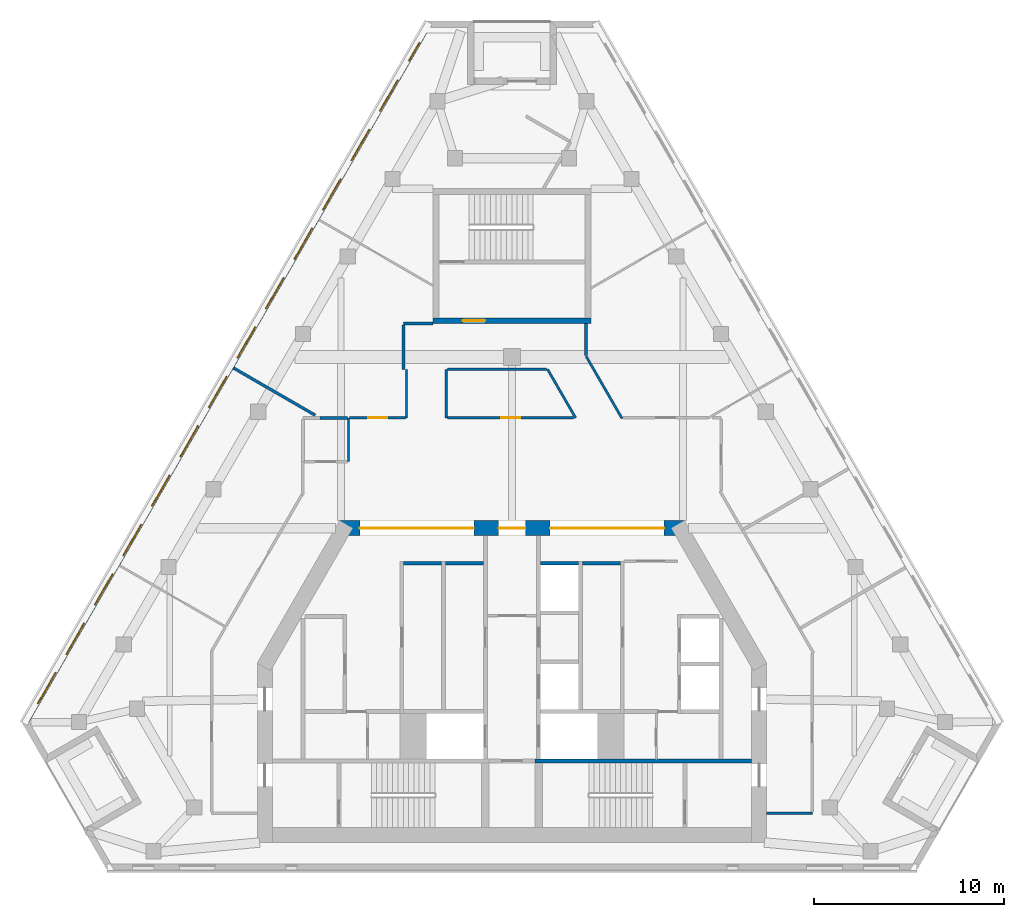
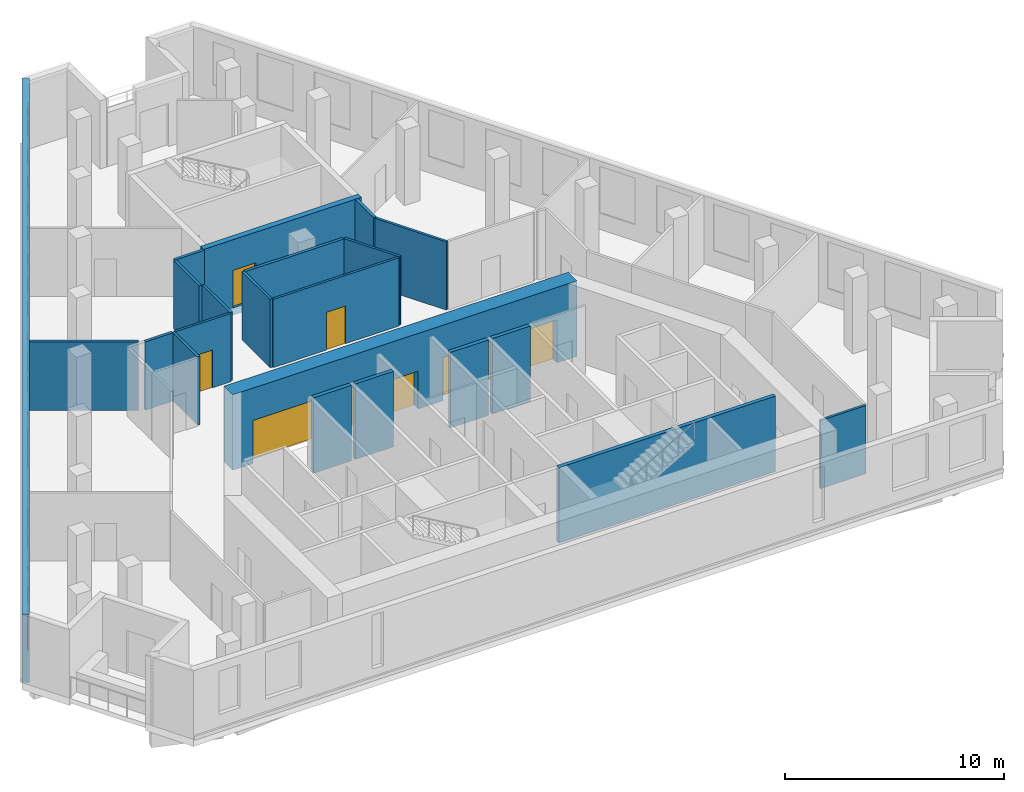
# One storey, part 4 of 8: 22 walls, 14 windows, 6 doors, 20 openings.
"""IFC4 building model written with IfcOpenShell, lengths in metres."""

from ifc_helpers import new_model, si_unit, direction, frame, frame_2d, origin, place, context, subcontext, project, spatial, rectangle, extrude, material, layer, layer_set, type_object, element, fill, save


model = new_model("IFC4")

# Units and contexts
model_context = context("Model", 3, precision=1e-05, world=origin(), true_north=direction((0.0, 1.0)))
body_context = subcontext(model_context, "Body", "Model", "MODEL_VIEW")
ifc_project = project(units=[si_unit("LENGTHUNIT", "METRE"), si_unit("AREAUNIT", "SQUARE_METRE"), si_unit("VOLUMEUNIT", "CUBIC_METRE"), si_unit("PLANEANGLEUNIT", "RADIAN"), si_unit("MASSUNIT", "GRAM", prefix="KILO")], contexts=[model_context])

# Site, building, storey
site_placement = place(None, origin())
site = spatial("IfcSite", under=ifc_project, at=site_placement, CompositionType="ELEMENT")
building_placement = place(site_placement, origin())
building = spatial("IfcBuilding", under=site, at=building_placement, Name="Fogline Exchange Tower", CompositionType="ELEMENT")
storey_placement = place(building_placement, frame((0.0, 0.0, 275.10009765625)))
storey = spatial("IfcBuildingStorey", under=building, at=storey_placement, Name="L62", CompositionType="ELEMENT", Elevation=275.10009765625)

# Walls
ifc_material_1 = material(Name="Concrete C40", Category="concrete")
ifc_layer_1 = layer(ifc_material_1, 0.199951171875)
ifc_layer_set_1 = layer_set([ifc_layer_1], Name="CW20R")
wall_type_1 = type_object("IfcWallType", Name="CW20R", PredefinedType="SOLIDWALL", material=ifc_layer_set_1)
wall_1_placement = place(storey_placement, frame((1.199951171875, 5.75, -0.400146484375), z_axis=(0.0, 0.0, 1.0), x_axis=(1.0, 0.0, 0.0)))
element("IfcWall", 1, at=wall_1_placement, inside=storey, type_object=wall_type_1, Name="Stair enclosure wall", PredefinedType="SOLIDWALL", context=body_context, shape_type="SweptSolid", body=[
    extrude(rectangle(XDim=11.400146484375, YDim=0.199951171875, at=frame_2d((5.7001953125, 0.0))), origin(), (0.0, 0.0, 1.0), 4.199951171875),
])
ifc_layer_2 = layer(ifc_material_1, 0.199951171875)
ifc_layer_set_2 = layer_set([ifc_layer_2], Name="CW20S")
wall_type_2 = type_object("IfcWallType", Name="CW20S", PredefinedType="SOLIDWALL", material=ifc_layer_set_2)
for number, where, z_axis, x_axis, name in (
    (2, (-5.699951171875, 16.14990234375, -0.400146484375), (0.0, 0.0, 1.0), (1.0, 0.0, 0.0), "Lift shaft wall"),
    (3, (-3.5, 16.14990234375, -0.400146484375), (0.0, 0.0, 1.0), (1.0, 0.0, 0.0), "Lift shaft wall"),
    (4, (3.699951171875, 16.14990234375, -0.400146484375), (0.0, 0.0, 1.0), (1.0, 0.0, 0.0), "Lift shaft wall"),
    (5, (1.5, 16.14990234375, -0.400146484375), (0.0, 0.0, 1.0), (1.0, 0.0, 0.0), "Lift shaft wall"),
):
    element("IfcWall", number, at=place(storey_placement, frame(where, z_axis=z_axis, x_axis=x_axis)), inside=storey, type_object=wall_type_2, Name=name, PredefinedType="SOLIDWALL", context=body_context, shape_type="SweptSolid", body=[
        extrude(rectangle(XDim=2.0, YDim=0.199951171875, at=frame_2d((1.0, 0.0))), origin(), (0.0, 0.0, 1.0), 4.199951171875),
    ])

# Wall, opening, door
ifc_layer_3 = layer(ifc_material_1, 0.300048828125)
ifc_layer_set_3 = layer_set([ifc_layer_3], Name="CW30")
wall_type_3 = type_object("IfcWallType", Name="CW30", PredefinedType="SOLIDWALL", material=ifc_layer_set_3)
wall_2_placement = place(storey_placement, frame((-4.14990234375, 28.906982421875, -0.400146484375), z_axis=(0.0, 0.0, 1.0), x_axis=(1.0, 0.0, 0.0)))
wall_2 = element("IfcWall", 6, at=wall_2_placement, inside=storey, type_object=wall_type_3, Name="Stair enclosure wall ST3", PredefinedType="SOLIDWALL", context=body_context, shape_type="SweptSolid", body=[
    extrude(rectangle(XDim=8.2998046875, YDim=0.300048828125, at=frame_2d((4.14990234375, 0.0))), origin(), (0.0, 0.0, 1.0), 4.199951171875),
])
opening_1_placement = place(wall_2_placement, frame((1.550048828125, 0.0, 0.39990234375)))
opening_1 = element("IfcOpeningElement", 7, at=opening_1_placement, cuts=wall_2, Name="Opening T19-C022", PredefinedType="OPENING", context=body_context, shape_type="SweptSolid", body=[
    extrude(rectangle(XDim=1.199951171875, YDim=2.10009765625, at=frame_2d((0.60009765625, 1.050048828125))), frame((0.0, 0.16015625, 0.0), z_axis=(0.0, -1.0, 0.0), x_axis=(1.0, 0.0, 0.0)), (0.0, 0.0, 1.0), 0.320068359375),
])
ifc_material_2 = material(Name="Steel and timber fire door", Category="steel")
door_type_1 = type_object("IfcDoorType", Name="D-FR1", OperationType="SINGLE_SWING_RIGHT", PredefinedType="DOOR", material=ifc_material_2)
door_1_placement = place(opening_1_placement, origin())
door_1 = element("IfcDoor", 8, at=door_1_placement, inside=storey, type_object=door_type_1, Name="Front room door ST3", OperationType="SINGLE_SWING_LEFT", OverallHeight=2.10009765625, OverallWidth=1.199951171875, PredefinedType="DOOR", context=body_context, shape_type="SweptSolid", body=[
    extrude(rectangle(XDim=1.199951171875, YDim=2.10009765625, at=frame_2d((0.60009765625, 1.050048828125))), frame((0.0, 0.02490234375, 0.0), z_axis=(0.0, -1.0, 0.0), x_axis=(1.0, 0.0, 0.0)), (0.0, 0.0, 1.0), 0.050048828125),
])
fill(opening_1, door_1)

# Wall, openings, windows
ifc_material_3 = material(Name="Brick masonry", Category="masonry")
ifc_layer_4 = layer(ifc_material_3, 0.340087890625)
ifc_layer_set_4 = layer_set([ifc_layer_4], Name="FW1")
wall_type_4 = type_object("IfcWallType", Name="FW1", PredefinedType="SOLIDWALL", material=ifc_layer_set_4)
wall_3_placement = place(storey_placement, frame((-4.352783203125, 44.5966796875, 0.0), z_axis=(0.0, 0.0, 1.0), x_axis=(-0.499998153541, -0.866026469835, 0.0)))
wall_3 = element("IfcWall", 9, at=wall_3_placement, inside=storey, type_object=wall_type_4, Name="Brick wall L62 W", PredefinedType="SOLIDWALL", context=body_context, shape_type="SweptSolid", body=[
    extrude(rectangle(XDim=42.593994140625, YDim=0.340087890625, at=frame_2d((21.296875, 0.0))), origin(), (0.0, 0.0, 1.0), 3.7998046875),
])
opening_2_placement = place(wall_3_placement, frame((3.445556640625, 0.0, 0.89990234375)))
opening_2 = element("IfcOpeningElement", 10, at=opening_2_placement, cuts=wall_3, Name="Opening W3", PredefinedType="OPENING", context=body_context, shape_type="SweptSolid", body=[
    extrude(rectangle(XDim=1.885009765625, YDim=2.60009765625, at=frame_2d((0.9423828125, 1.300048828125))), frame((0.0, 0.18017578125, 0.0), z_axis=(0.0, -1.0, 0.0), x_axis=(1.0, 0.0, 0.0)), (0.0, 0.0, 1.0), 0.360107421875),
])
opening_3_placement = place(wall_3_placement, frame((6.445556640625, 0.0, 0.89990234375)))
opening_3 = element("IfcOpeningElement", 11, at=opening_3_placement, cuts=wall_3, Name="Opening W3", PredefinedType="OPENING", context=body_context, shape_type="SweptSolid", body=[
    extrude(rectangle(XDim=1.885009765625, YDim=2.60009765625, at=frame_2d((0.9423828125, 1.300048828125))), frame((0.0, 0.18017578125, 0.0), z_axis=(0.0, -1.0, 0.0), x_axis=(1.0, 0.0, 0.0)), (0.0, 0.0, 1.0), 0.360107421875),
])
opening_4_placement = place(wall_3_placement, frame((9.445556640625, 0.0, 0.89990234375)))
opening_4 = element("IfcOpeningElement", 12, at=opening_4_placement, cuts=wall_3, Name="Opening W3", PredefinedType="OPENING", context=body_context, shape_type="SweptSolid", body=[
    extrude(rectangle(XDim=1.885009765625, YDim=2.60009765625, at=frame_2d((0.9423828125, 1.300048828125))), frame((0.0, 0.18017578125, 0.0), z_axis=(0.0, -1.0, 0.0), x_axis=(1.0, 0.0, 0.0)), (0.0, 0.0, 1.0), 0.360107421875),
])
opening_5_placement = place(wall_3_placement, frame((12.445556640625, 0.0, 0.89990234375)))
opening_5 = element("IfcOpeningElement", 13, at=opening_5_placement, cuts=wall_3, Name="Opening W3", PredefinedType="OPENING", context=body_context, shape_type="SweptSolid", body=[
    extrude(rectangle(XDim=1.885009765625, YDim=2.60009765625, at=frame_2d((0.9423828125, 1.300048828125))), frame((0.0, 0.18017578125, 0.0), z_axis=(0.0, -1.0, 0.0), x_axis=(1.0, 0.0, 0.0)), (0.0, 0.0, 1.0), 0.360107421875),
])
opening_6_placement = place(wall_3_placement, frame((15.445556640625, 0.0, 0.89990234375)))
opening_6 = element("IfcOpeningElement", 14, at=opening_6_placement, cuts=wall_3, Name="Opening W3", PredefinedType="OPENING", context=body_context, shape_type="SweptSolid", body=[
    extrude(rectangle(XDim=1.885009765625, YDim=2.60009765625, at=frame_2d((0.9423828125, 1.300048828125))), frame((0.0, 0.18017578125, 0.0), z_axis=(0.0, -1.0, 0.0), x_axis=(1.0, 0.0, 0.0)), (0.0, 0.0, 1.0), 0.360107421875),
])
opening_7_placement = place(wall_3_placement, frame((18.445556640625, 0.0, 0.89990234375)))
opening_7 = element("IfcOpeningElement", 15, at=opening_7_placement, cuts=wall_3, Name="Opening W3", PredefinedType="OPENING", context=body_context, shape_type="SweptSolid", body=[
    extrude(rectangle(XDim=1.885009765625, YDim=2.60009765625, at=frame_2d((0.9423828125, 1.300048828125))), frame((0.0, 0.18017578125, 0.0), z_axis=(0.0, -1.0, 0.0), x_axis=(1.0, 0.0, 0.0)), (0.0, 0.0, 1.0), 0.360107421875),
])
opening_8_placement = place(wall_3_placement, frame((21.445556640625, 0.0, 0.89990234375)))
opening_8 = element("IfcOpeningElement", 16, at=opening_8_placement, cuts=wall_3, Name="Opening W3", PredefinedType="OPENING", context=body_context, shape_type="SweptSolid", body=[
    extrude(rectangle(XDim=1.885009765625, YDim=2.60009765625, at=frame_2d((0.9423828125, 1.300048828125))), frame((0.0, 0.18017578125, 0.0), z_axis=(0.0, -1.0, 0.0), x_axis=(1.0, 0.0, 0.0)), (0.0, 0.0, 1.0), 0.360107421875),
])
opening_9_placement = place(wall_3_placement, frame((24.445556640625, 0.0, 0.89990234375)))
opening_9 = element("IfcOpeningElement", 17, at=opening_9_placement, cuts=wall_3, Name="Opening W3", PredefinedType="OPENING", context=body_context, shape_type="SweptSolid", body=[
    extrude(rectangle(XDim=1.885009765625, YDim=2.60009765625, at=frame_2d((0.9423828125, 1.300048828125))), frame((0.0, 0.18017578125, 0.0), z_axis=(0.0, -1.0, 0.0), x_axis=(1.0, 0.0, 0.0)), (0.0, 0.0, 1.0), 0.360107421875),
])
opening_10_placement = place(wall_3_placement, frame((27.445556640625, 0.0, 0.89990234375)))
opening_10 = element("IfcOpeningElement", 18, at=opening_10_placement, cuts=wall_3, Name="Opening W3", PredefinedType="OPENING", context=body_context, shape_type="SweptSolid", body=[
    extrude(rectangle(XDim=1.885009765625, YDim=2.60009765625, at=frame_2d((0.9423828125, 1.300048828125))), frame((0.0, 0.18017578125, 0.0), z_axis=(0.0, -1.0, 0.0), x_axis=(1.0, 0.0, 0.0)), (0.0, 0.0, 1.0), 0.360107421875),
])
opening_11_placement = place(wall_3_placement, frame((30.445556640625, 0.0, 0.89990234375)))
opening_11 = element("IfcOpeningElement", 19, at=opening_11_placement, cuts=wall_3, Name="Opening W3", PredefinedType="OPENING", context=body_context, shape_type="SweptSolid", body=[
    extrude(rectangle(XDim=1.885009765625, YDim=2.60009765625, at=frame_2d((0.9423828125, 1.300048828125))), frame((0.0, 0.18017578125, 0.0), z_axis=(0.0, -1.0, 0.0), x_axis=(1.0, 0.0, 0.0)), (0.0, 0.0, 1.0), 0.360107421875),
])
opening_12_placement = place(wall_3_placement, frame((33.445556640625, 0.0, 0.89990234375)))
opening_12 = element("IfcOpeningElement", 20, at=opening_12_placement, cuts=wall_3, Name="Opening W3", PredefinedType="OPENING", context=body_context, shape_type="SweptSolid", body=[
    extrude(rectangle(XDim=1.885009765625, YDim=2.60009765625, at=frame_2d((0.9423828125, 1.300048828125))), frame((0.0, 0.18017578125, 0.0), z_axis=(0.0, -1.0, 0.0), x_axis=(1.0, 0.0, 0.0)), (0.0, 0.0, 1.0), 0.360107421875),
])
opening_13_placement = place(wall_3_placement, frame((36.445556640625, 0.0, 0.89990234375)))
opening_13 = element("IfcOpeningElement", 21, at=opening_13_placement, cuts=wall_3, Name="Opening W3", PredefinedType="OPENING", context=body_context, shape_type="SweptSolid", body=[
    extrude(rectangle(XDim=1.885009765625, YDim=2.60009765625, at=frame_2d((0.9423828125, 1.300048828125))), frame((0.0, 0.18017578125, 0.0), z_axis=(0.0, -1.0, 0.0), x_axis=(1.0, 0.0, 0.0)), (0.0, 0.0, 1.0), 0.360107421875),
])
opening_14_placement = place(wall_3_placement, frame((39.445556640625, 0.0, 0.89990234375)))
opening_14 = element("IfcOpeningElement", 22, at=opening_14_placement, cuts=wall_3, Name="Opening W3", PredefinedType="OPENING", context=body_context, shape_type="SweptSolid", body=[
    extrude(rectangle(XDim=1.885009765625, YDim=2.60009765625, at=frame_2d((0.9423828125, 1.300048828125))), frame((0.0, 0.18017578125, 0.0), z_axis=(0.0, -1.0, 0.0), x_axis=(1.0, 0.0, 0.0)), (0.0, 0.0, 1.0), 0.360107421875),
])
opening_15_placement = place(wall_3_placement, frame((1.165283203125, 0.0, 0.89990234375)))
opening_15 = element("IfcOpeningElement", 23, at=opening_15_placement, cuts=wall_3, Name="Opening W4", PredefinedType="OPENING", context=body_context, shape_type="SweptSolid", body=[
    extrude(rectangle(XDim=1.114990234375, YDim=2.39990234375, at=frame_2d((0.5576171875, 1.199951171875))), frame((0.0, 0.18017578125, 0.0), z_axis=(0.0, -1.0, 0.0), x_axis=(1.0, 0.0, 0.0)), (0.0, 0.0, 1.0), 0.360107421875),
])
ifc_material_4 = material(Name="Aluminium and glass", Category="aluminium")
window_type_1 = type_object("IfcWindowType", Name="W3", PartitioningType="SINGLE_PANEL", PredefinedType="WINDOW", material=ifc_material_4)
window_1_placement = place(opening_2_placement, origin())
window_1 = element("IfcWindow", 24, at=window_1_placement, inside=storey, type_object=window_type_1, Name="W3 W3", OverallHeight=2.60009765625, OverallWidth=1.885009765625, PartitioningType="SINGLE_PANEL", PredefinedType="WINDOW", context=body_context, shape_type="SweptSolid", body=[
    extrude(rectangle(XDim=1.885009765625, YDim=2.60009765625, at=frame_2d((0.9423828125, 1.300048828125))), frame((0.0, 0.110107421875, 0.0), z_axis=(0.0, -1.0, 0.0), x_axis=(1.0, 0.0, 0.0)), (0.0, 0.0, 1.0), 0.06005859375),
])
fill(opening_2, window_1)
window_2_placement = place(opening_3_placement, origin())
window_2 = element("IfcWindow", 25, at=window_2_placement, inside=storey, type_object=window_type_1, Name="W3 W3", OverallHeight=2.60009765625, OverallWidth=1.885009765625, PartitioningType="SINGLE_PANEL", PredefinedType="WINDOW", context=body_context, shape_type="SweptSolid", body=[
    extrude(rectangle(XDim=1.885009765625, YDim=2.60009765625, at=frame_2d((0.9423828125, 1.300048828125))), frame((0.0, 0.110107421875, 0.0), z_axis=(0.0, -1.0, 0.0), x_axis=(1.0, 0.0, 0.0)), (0.0, 0.0, 1.0), 0.06005859375),
])
fill(opening_3, window_2)
window_3_placement = place(opening_4_placement, origin())
window_3 = element("IfcWindow", 26, at=window_3_placement, inside=storey, type_object=window_type_1, Name="W3 W3", OverallHeight=2.60009765625, OverallWidth=1.885009765625, PartitioningType="SINGLE_PANEL", PredefinedType="WINDOW", context=body_context, shape_type="SweptSolid", body=[
    extrude(rectangle(XDim=1.885009765625, YDim=2.60009765625, at=frame_2d((0.9423828125, 1.300048828125))), frame((0.0, 0.110107421875, 0.0), z_axis=(0.0, -1.0, 0.0), x_axis=(1.0, 0.0, 0.0)), (0.0, 0.0, 1.0), 0.06005859375),
])
fill(opening_4, window_3)
window_4_placement = place(opening_5_placement, origin())
window_4 = element("IfcWindow", 27, at=window_4_placement, inside=storey, type_object=window_type_1, Name="W3 W3", OverallHeight=2.60009765625, OverallWidth=1.885009765625, PartitioningType="SINGLE_PANEL", PredefinedType="WINDOW", context=body_context, shape_type="SweptSolid", body=[
    extrude(rectangle(XDim=1.885009765625, YDim=2.60009765625, at=frame_2d((0.9423828125, 1.300048828125))), frame((0.0, 0.110107421875, 0.0), z_axis=(0.0, -1.0, 0.0), x_axis=(1.0, 0.0, 0.0)), (0.0, 0.0, 1.0), 0.06005859375),
])
fill(opening_5, window_4)
window_5_placement = place(opening_6_placement, origin())
window_5 = element("IfcWindow", 28, at=window_5_placement, inside=storey, type_object=window_type_1, Name="W3 W3", OverallHeight=2.60009765625, OverallWidth=1.885009765625, PartitioningType="SINGLE_PANEL", PredefinedType="WINDOW", context=body_context, shape_type="SweptSolid", body=[
    extrude(rectangle(XDim=1.885009765625, YDim=2.60009765625, at=frame_2d((0.9423828125, 1.300048828125))), frame((0.0, 0.110107421875, 0.0), z_axis=(0.0, -1.0, 0.0), x_axis=(1.0, 0.0, 0.0)), (0.0, 0.0, 1.0), 0.06005859375),
])
fill(opening_6, window_5)
window_6_placement = place(opening_7_placement, origin())
window_6 = element("IfcWindow", 29, at=window_6_placement, inside=storey, type_object=window_type_1, Name="W3 W3", OverallHeight=2.60009765625, OverallWidth=1.885009765625, PartitioningType="SINGLE_PANEL", PredefinedType="WINDOW", context=body_context, shape_type="SweptSolid", body=[
    extrude(rectangle(XDim=1.885009765625, YDim=2.60009765625, at=frame_2d((0.9423828125, 1.300048828125))), frame((0.0, 0.110107421875, 0.0), z_axis=(0.0, -1.0, 0.0), x_axis=(1.0, 0.0, 0.0)), (0.0, 0.0, 1.0), 0.06005859375),
])
fill(opening_7, window_6)
window_7_placement = place(opening_8_placement, origin())
window_7 = element("IfcWindow", 30, at=window_7_placement, inside=storey, type_object=window_type_1, Name="W3 W3", OverallHeight=2.60009765625, OverallWidth=1.885009765625, PartitioningType="SINGLE_PANEL", PredefinedType="WINDOW", context=body_context, shape_type="SweptSolid", body=[
    extrude(rectangle(XDim=1.885009765625, YDim=2.60009765625, at=frame_2d((0.9423828125, 1.300048828125))), frame((0.0, 0.110107421875, 0.0), z_axis=(0.0, -1.0, 0.0), x_axis=(1.0, 0.0, 0.0)), (0.0, 0.0, 1.0), 0.06005859375),
])
fill(opening_8, window_7)
window_8_placement = place(opening_9_placement, origin())
window_8 = element("IfcWindow", 31, at=window_8_placement, inside=storey, type_object=window_type_1, Name="W3 W3", OverallHeight=2.60009765625, OverallWidth=1.885009765625, PartitioningType="SINGLE_PANEL", PredefinedType="WINDOW", context=body_context, shape_type="SweptSolid", body=[
    extrude(rectangle(XDim=1.885009765625, YDim=2.60009765625, at=frame_2d((0.9423828125, 1.300048828125))), frame((0.0, 0.110107421875, 0.0), z_axis=(0.0, -1.0, 0.0), x_axis=(1.0, 0.0, 0.0)), (0.0, 0.0, 1.0), 0.06005859375),
])
fill(opening_9, window_8)
window_9_placement = place(opening_10_placement, origin())
window_9 = element("IfcWindow", 32, at=window_9_placement, inside=storey, type_object=window_type_1, Name="W3 W3", OverallHeight=2.60009765625, OverallWidth=1.885009765625, PartitioningType="SINGLE_PANEL", PredefinedType="WINDOW", context=body_context, shape_type="SweptSolid", body=[
    extrude(rectangle(XDim=1.885009765625, YDim=2.60009765625, at=frame_2d((0.9423828125, 1.300048828125))), frame((0.0, 0.110107421875, 0.0), z_axis=(0.0, -1.0, 0.0), x_axis=(1.0, 0.0, 0.0)), (0.0, 0.0, 1.0), 0.06005859375),
])
fill(opening_10, window_9)
window_10_placement = place(opening_11_placement, origin())
window_10 = element("IfcWindow", 33, at=window_10_placement, inside=storey, type_object=window_type_1, Name="W3 W3", OverallHeight=2.60009765625, OverallWidth=1.885009765625, PartitioningType="SINGLE_PANEL", PredefinedType="WINDOW", context=body_context, shape_type="SweptSolid", body=[
    extrude(rectangle(XDim=1.885009765625, YDim=2.60009765625, at=frame_2d((0.9423828125, 1.300048828125))), frame((0.0, 0.110107421875, 0.0), z_axis=(0.0, -1.0, 0.0), x_axis=(1.0, 0.0, 0.0)), (0.0, 0.0, 1.0), 0.06005859375),
])
fill(opening_11, window_10)
window_11_placement = place(opening_12_placement, origin())
window_11 = element("IfcWindow", 34, at=window_11_placement, inside=storey, type_object=window_type_1, Name="W3 W3", OverallHeight=2.60009765625, OverallWidth=1.885009765625, PartitioningType="SINGLE_PANEL", PredefinedType="WINDOW", context=body_context, shape_type="SweptSolid", body=[
    extrude(rectangle(XDim=1.885009765625, YDim=2.60009765625, at=frame_2d((0.9423828125, 1.300048828125))), frame((0.0, 0.110107421875, 0.0), z_axis=(0.0, -1.0, 0.0), x_axis=(1.0, 0.0, 0.0)), (0.0, 0.0, 1.0), 0.06005859375),
])
fill(opening_12, window_11)
window_12_placement = place(opening_13_placement, origin())
window_12 = element("IfcWindow", 35, at=window_12_placement, inside=storey, type_object=window_type_1, Name="W3 W3", OverallHeight=2.60009765625, OverallWidth=1.885009765625, PartitioningType="SINGLE_PANEL", PredefinedType="WINDOW", context=body_context, shape_type="SweptSolid", body=[
    extrude(rectangle(XDim=1.885009765625, YDim=2.60009765625, at=frame_2d((0.9423828125, 1.300048828125))), frame((0.0, 0.110107421875, 0.0), z_axis=(0.0, -1.0, 0.0), x_axis=(1.0, 0.0, 0.0)), (0.0, 0.0, 1.0), 0.06005859375),
])
fill(opening_13, window_12)
window_13_placement = place(opening_14_placement, origin())
window_13 = element("IfcWindow", 36, at=window_13_placement, inside=storey, type_object=window_type_1, Name="W3 W3", OverallHeight=2.60009765625, OverallWidth=1.885009765625, PartitioningType="SINGLE_PANEL", PredefinedType="WINDOW", context=body_context, shape_type="SweptSolid", body=[
    extrude(rectangle(XDim=1.885009765625, YDim=2.60009765625, at=frame_2d((0.9423828125, 1.300048828125))), frame((0.0, 0.110107421875, 0.0), z_axis=(0.0, -1.0, 0.0), x_axis=(1.0, 0.0, 0.0)), (0.0, 0.0, 1.0), 0.06005859375),
])
fill(opening_14, window_13)
window_type_2 = type_object("IfcWindowType", Name="W4", PartitioningType="SINGLE_PANEL", PredefinedType="WINDOW", material=ifc_material_4)
window_14_placement = place(opening_15_placement, origin())
window_14 = element("IfcWindow", 37, at=window_14_placement, inside=storey, type_object=window_type_2, Name="W4 W4", OverallHeight=2.39990234375, OverallWidth=1.114990234375, PartitioningType="SINGLE_PANEL", PredefinedType="WINDOW", context=body_context, shape_type="SweptSolid", body=[
    extrude(rectangle(XDim=1.114990234375, YDim=2.39990234375, at=frame_2d((0.5576171875, 1.199951171875))), frame((0.0, 0.110107421875, 0.0), z_axis=(0.0, -1.0, 0.0), x_axis=(1.0, 0.0, 0.0)), (0.0, 0.0, 1.0), 0.06005859375),
])
fill(opening_15, window_14)

# Wall
ifc_material_5 = material(Name="Plasterboard corridor partition with mineral wool, 2 layers each side")
ifc_layer_5 = layer(ifc_material_5, 0.125)
ifc_layer_set_5 = layer_set([ifc_layer_5], Name="PW2")
wall_type_5 = type_object("IfcWallType", Name="PW2", PredefinedType="PARTITIONING", material=ifc_layer_set_5)
wall_4_placement = place(storey_placement, frame((15.800048828125, 3.0, 0.0), z_axis=(0.0, 0.0, 1.0), x_axis=(-1.0, 0.0, 0.0)))
element("IfcWall", 38, at=wall_4_placement, inside=storey, type_object=wall_type_5, Name="wall-L62-W004", PredefinedType="PARTITIONING", context=body_context, shape_type="SweptSolid", body=[
    extrude(rectangle(XDim=2.400146484375, YDim=0.125, at=frame_2d((1.2001953125, 0.0))), origin(), (0.0, 0.0, 1.0), 3.7998046875),
])

# Wall, opening, door
wall_5_placement = place(storey_placement, frame((-3.387451171875, 23.800048828125, 0.0), z_axis=(0.0, 0.0, 1.0), x_axis=(1.0, 0.0, 0.0)))
wall_5 = element("IfcWall", 39, at=wall_5_placement, inside=storey, type_object=wall_type_5, Name="wall-L62-W009", PredefinedType="PARTITIONING", context=body_context, shape_type="SweptSolid", body=[
    extrude(rectangle(XDim=6.625, YDim=0.125, at=frame_2d((3.3125, 0.0))), origin(), (0.0, 0.0, 1.0), 3.7998046875),
])
opening_16_placement = place(wall_5_placement, frame((2.8125, 0.0, 0.0)))
opening_16 = element("IfcOpeningElement", 40, at=opening_16_placement, cuts=wall_5, Name="Opening T19-D005", PredefinedType="OPENING", context=body_context, shape_type="SweptSolid", body=[
    extrude(rectangle(XDim=1.0, YDim=2.10009765625, at=frame_2d((0.5, 1.050048828125))), frame((0.0, 0.072509765625, 0.0), z_axis=(0.0, -1.0, 0.0), x_axis=(1.0, 0.0, 0.0)), (0.0, 0.0, 1.0), 0.14501953125),
])
ifc_material_6 = material(Name="Fire-rated timber door leaf with steel frame", Category="steel")
door_type_2 = type_object("IfcDoorType", Name="D3", OperationType="SINGLE_SWING_LEFT", PredefinedType="DOOR", material=ifc_material_6)
door_2_placement = place(opening_16_placement, origin())
door_2 = element("IfcDoor", 41, at=door_2_placement, inside=storey, type_object=door_type_2, Name="door-L62-D005", OperationType="SINGLE_SWING_LEFT", OverallHeight=2.10009765625, OverallWidth=1.0, PredefinedType="DOOR", context=body_context, shape_type="SweptSolid", body=[
    extrude(rectangle(XDim=1.0, YDim=2.10009765625, at=frame_2d((0.5, 1.050048828125))), frame((0.0, 0.02490234375, 0.0), z_axis=(0.0, -1.0, 0.0), x_axis=(1.0, 0.0, 0.0)), (0.0, 0.0, 1.0), 0.050048828125),
])
fill(opening_16, door_2)

wall_6_placement = place(storey_placement, frame((-8.537109375, 23.800048828125, 0.0), z_axis=(0.0, 0.0, 1.0), x_axis=(1.0, 0.0, 0.0)))
wall_6 = element("IfcWall", 42, at=wall_6_placement, inside=storey, type_object=wall_type_5, Name="wall-L62-W010", PredefinedType="PARTITIONING", context=body_context, shape_type="SweptSolid", body=[
    extrude(rectangle(XDim=2.924560546875, YDim=0.125, at=frame_2d((1.46240234375, 0.0))), origin(), (0.0, 0.0, 1.0), 3.7998046875),
])
opening_17_placement = place(wall_6_placement, frame((0.96240234375, 0.0, 0.0)))
opening_17 = element("IfcOpeningElement", 43, at=opening_17_placement, cuts=wall_6, Name="Opening T19-D006", PredefinedType="OPENING", context=body_context, shape_type="SweptSolid", body=[
    extrude(rectangle(XDim=1.0, YDim=2.10009765625, at=frame_2d((0.5, 1.050048828125))), frame((0.0, 0.072509765625, 0.0), z_axis=(0.0, -1.0, 0.0), x_axis=(1.0, 0.0, 0.0)), (0.0, 0.0, 1.0), 0.14501953125),
])
door_3_placement = place(opening_17_placement, origin())
door_3 = element("IfcDoor", 44, at=door_3_placement, inside=storey, type_object=door_type_2, Name="door-L62-D006", OperationType="SINGLE_SWING_RIGHT", OverallHeight=2.10009765625, OverallWidth=1.0, PredefinedType="DOOR", context=body_context, shape_type="SweptSolid", body=[
    extrude(rectangle(XDim=1.0, YDim=2.10009765625, at=frame_2d((0.5, 1.050048828125))), frame((0.0, 0.02490234375, 0.0), z_axis=(0.0, -1.0, 0.0), x_axis=(1.0, 0.0, 0.0)), (0.0, 0.0, 1.0), 0.050048828125),
])
fill(opening_17, door_3)

# Walls
wall_7_placement = place(storey_placement, frame((-8.60009765625, 21.5, 0.0), z_axis=(0.0, 0.0, 1.0), x_axis=(0.0, 1.0, 0.0)))
element("IfcWall", 45, at=wall_7_placement, inside=storey, type_object=wall_type_5, Name="wall-L62-W012", PredefinedType="PARTITIONING", context=body_context, shape_type="SweptSolid", body=[
    extrude(rectangle(XDim=2.300048828125, YDim=0.125, at=frame_2d((1.14990234375, 0.0))), origin(), (0.0, 0.0, 1.0), 3.7998046875),
])
for number, where, z_axis, x_axis, name in (
    (46, (-3.449951171875, 26.35693359375, 0.0), (0.0, 0.0, 1.0), (0.0, -1.0, 0.0), "wall-L62-W022"),
    (47, (-5.550048828125, 23.800048828125, 0.0), (0.0, 0.0, 1.0), (0.0, 1.0, 0.0), "wall-L62-W023"),
):
    element("IfcWall", number, at=place(storey_placement, frame(where, z_axis=z_axis, x_axis=x_axis)), inside=storey, type_object=wall_type_5, Name=name, PredefinedType="PARTITIONING", context=body_context, shape_type="SweptSolid", body=[
        extrude(rectangle(XDim=2.556884765625, YDim=0.125, at=frame_2d((1.2783203125, 0.0))), origin(), (0.0, 0.0, 1.0), 3.7998046875),
    ])
wall_8_placement = place(storey_placement, frame((3.89990234375, 27.041015625, 0.0), z_axis=(0.0, 0.0, 1.0), x_axis=(0.499989064333, -0.866031717402, 0.0)))
element("IfcWall", 48, at=wall_8_placement, inside=storey, type_object=wall_type_5, Name="wall-L62-W024", PredefinedType="PARTITIONING", context=body_context, shape_type="SweptSolid", body=[
    extrude(rectangle(XDim=3.7783203125, YDim=0.125, at=frame_2d((1.88916015625, 0.0))), origin(), (0.0, 0.0, 1.0), 3.7998046875),
])
wall_9_placement = place(storey_placement, frame((3.34619140625, 23.800048828125, 0.0), z_axis=(0.0, 0.0, 1.0), x_axis=(-0.499963446908, 0.866046506693, 0.0)))
element("IfcWall", 49, at=wall_9_placement, inside=storey, type_object=wall_type_5, Name="wall-L62-W025", PredefinedType="PARTITIONING", context=body_context, shape_type="SweptSolid", body=[
    extrude(rectangle(XDim=2.952392578125, YDim=0.125, at=frame_2d((1.47607421875, 0.0))), origin(), (0.0, 0.0, 1.0), 3.7998046875),
])
ifc_material_7 = material(Name="Plasterboard demising partition with mineral wool and acoustic board")
ifc_layer_6 = layer(ifc_material_7, 0.14990234375)
ifc_layer_set_6 = layer_set([ifc_layer_6], Name="PW3")
wall_type_6 = type_object("IfcWallType", Name="PW3", PredefinedType="PARTITIONING", material=ifc_layer_set_6)
wall_10_placement = place(storey_placement, frame((-8.6630859375, 23.800048828125, 0.0), z_axis=(0.0, 0.0, 1.0), x_axis=(-1.0, 0.0, 0.0)))
element("IfcWall", 50, at=wall_10_placement, inside=storey, type_object=wall_type_6, Name="wall-L62-W034", PredefinedType="PARTITIONING", context=body_context, shape_type="SweptSolid", body=[
    extrude(rectangle(XDim=1.44482421875, YDim=0.14990234375, at=frame_2d((0.722412109375, 0.0))), origin(), (0.0, 0.0, 1.0), 3.7998046875),
])
wall_11_placement = place(storey_placement, frame((-10.3505859375, 23.940185546875, 0.0), z_axis=(0.0, 0.0, 1.0), x_axis=(-0.866025053231, 0.500000607176, 0.0)))
element("IfcWall", 51, at=wall_11_placement, inside=storey, type_object=wall_type_6, Name="wall-L62-W035", PredefinedType="PARTITIONING", context=body_context, shape_type="SweptSolid", body=[
    extrude(rectangle(XDim=4.9638671875, YDim=0.14990234375, at=frame_2d((2.48193359375, 0.0))), origin(), (0.0, 0.0, 1.0), 3.7998046875),
])
ifc_material_8 = material(Name="Plasterboard stair lobby partition, 3 layers each side on steel studs", Category="steel")
ifc_layer_7 = layer(ifc_material_8, 0.14990234375)
ifc_layer_set_7 = layer_set([ifc_layer_7], Name="PW4")
wall_type_7 = type_object("IfcWallType", Name="PW4", PredefinedType="PARTITIONING", material=ifc_layer_set_7)
wall_12_placement = place(storey_placement, frame((3.89990234375, 28.757080078125, 0.0), z_axis=(0.0, 0.0, 1.0), x_axis=(0.0, -1.0, 0.0)))
element("IfcWall", 52, at=wall_12_placement, inside=storey, type_object=wall_type_7, Name="wall-L62-W018", PredefinedType="PARTITIONING", context=body_context, shape_type="SweptSolid", body=[
    extrude(rectangle(XDim=1.68505859375, YDim=0.14990234375, at=frame_2d((0.842529296875, 0.0))), origin(), (0.0, 0.0, 1.0), 3.7998046875),
])
wall_13_placement = place(storey_placement, frame((1.816162109375, 26.35693359375, 0.0), z_axis=(0.0, 0.0, 1.0), x_axis=(-1.0, 0.0, 0.0)))
element("IfcWall", 53, at=wall_13_placement, inside=storey, type_object=wall_type_7, Name="wall-L62-W019", PredefinedType="PARTITIONING", context=body_context, shape_type="SweptSolid", body=[
    extrude(rectangle(XDim=5.20361328125, YDim=0.14990234375, at=frame_2d((2.601806640625, 0.0))), origin(), (0.0, 0.0, 1.0), 3.7998046875),
])
wall_14_placement = place(storey_placement, frame((-5.699951171875, 26.35693359375, 0.0), z_axis=(0.0, 0.0, 1.0), x_axis=(0.0, 1.0, 0.0)))
element("IfcWall", 54, at=wall_14_placement, inside=storey, type_object=wall_type_7, Name="wall-L62-W020", PredefinedType="PARTITIONING", context=body_context, shape_type="SweptSolid", body=[
    extrude(rectangle(XDim=2.324951171875, YDim=0.14990234375, at=frame_2d((1.16259765625, 0.0))), origin(), (0.0, 0.0, 1.0), 3.7998046875),
])
wall_15_placement = place(storey_placement, frame((-5.699951171875, 28.757080078125, 0.0), z_axis=(0.0, 0.0, 1.0), x_axis=(1.0, 0.0, 0.0)))
element("IfcWall", 55, at=wall_15_placement, inside=storey, type_object=wall_type_7, Name="wall-L62-W021", PredefinedType="PARTITIONING", context=body_context, shape_type="SweptSolid", body=[
    extrude(rectangle(XDim=1.550048828125, YDim=0.14990234375, at=frame_2d((0.77490234375, 0.0))), origin(), (0.0, 0.0, 1.0), 3.7998046875),
])

# Wall, openings, doors
ifc_material_9 = material(Name="Concrete C50", Category="concrete")
ifc_layer_8 = layer(ifc_material_9, 0.800048828125)
ifc_layer_set_8 = layer_set([ifc_layer_8], Name="SW04")
wall_type_8 = type_object("IfcWallType", Name="SW04", PredefinedType="SHEAR", material=ifc_layer_set_8)
wall_16_placement = place(storey_placement, frame((9.065185546875, 18.0, 0.0), z_axis=(0.0, 0.0, 1.0), x_axis=(-1.0, 0.0, 0.0)))
wall_16 = element("IfcWall", 56, at=wall_16_placement, inside=storey, type_object=wall_type_8, Name="L62-W904", PredefinedType="SHEAR", context=body_context, shape_type="SweptSolid", body=[
    extrude(rectangle(XDim=18.13037109375, YDim=0.800048828125, at=frame_2d((9.065185546875, 0.0))), origin(), (0.0, 0.0, 1.0), 4.199951171875),
])
opening_18_placement = place(wall_16_placement, frame((8.364990234375, 0.0, 0.0)))
opening_18 = element("IfcOpeningElement", 57, at=opening_18_placement, cuts=wall_16, Name="Opening T19-C019", PredefinedType="OPENING", context=body_context, shape_type="SweptSolid", body=[
    extrude(rectangle(XDim=1.39990234375, YDim=2.10009765625, at=frame_2d((0.699951171875, 1.050048828125))), frame((0.0, 0.41015625, 0.0), z_axis=(0.0, -1.0, 0.0), x_axis=(1.0, 0.0, 0.0)), (0.0, 0.0, 1.0), 0.820068359375),
])
opening_19_placement = place(wall_16_placement, frame((11.065185546875, 0.0, 0.0)))
opening_19 = element("IfcOpeningElement", 58, at=opening_19_placement, cuts=wall_16, Name="Opening T19-C020", PredefinedType="OPENING", context=body_context, shape_type="SweptSolid", body=[
    extrude(rectangle(XDim=6.0, YDim=2.39990234375, at=frame_2d((3.0, 1.199951171875))), frame((0.0, 0.41015625, 0.0), z_axis=(0.0, -1.0, 0.0), x_axis=(1.0, 0.0, 0.0)), (0.0, 0.0, 1.0), 0.820068359375),
])
opening_20_placement = place(wall_16_placement, frame((1.065185546875, 0.0, 0.0)))
opening_20 = element("IfcOpeningElement", 59, at=opening_20_placement, cuts=wall_16, Name="Opening T19-C021", PredefinedType="OPENING", context=body_context, shape_type="SweptSolid", body=[
    extrude(rectangle(XDim=6.0, YDim=2.39990234375, at=frame_2d((3.0, 1.199951171875))), frame((0.0, 0.41015625, 0.0), z_axis=(0.0, -1.0, 0.0), x_axis=(1.0, 0.0, 0.0)), (0.0, 0.0, 1.0), 0.820068359375),
])
door_type_3 = type_object("IfcDoorType", Name="D-LB1", OperationType="DOUBLE_DOOR_SINGLE_SWING", PredefinedType="DOOR", material=ifc_material_2)
door_4_placement = place(opening_18_placement, origin())
door_4 = element("IfcDoor", 60, at=door_4_placement, inside=storey, type_object=door_type_3, Name="Protected lobby door", OperationType="DOUBLE_DOOR_SINGLE_SWING", OverallHeight=2.10009765625, OverallWidth=1.39990234375, PredefinedType="DOOR", context=body_context, shape_type="SweptSolid", body=[
    extrude(rectangle(XDim=1.39990234375, YDim=2.10009765625, at=frame_2d((0.699951171875, 1.050048828125))), frame((0.0, 0.02490234375, 0.0), z_axis=(0.0, -1.0, 0.0), x_axis=(1.0, 0.0, 0.0)), (0.0, 0.0, 1.0), 0.050048828125),
])
fill(opening_18, door_4)
door_type_4 = type_object("IfcDoorType", Name="D-LE1", OperationType="DOUBLE_DOOR_SLIDING", PredefinedType="DOOR", material=ifc_material_2)
door_5_placement = place(opening_19_placement, origin())
door_5 = element("IfcDoor", 61, at=door_5_placement, inside=storey, type_object=door_type_4, Name="Lift lobby entrance west", OperationType="DOUBLE_DOOR_SLIDING", OverallHeight=2.39990234375, OverallWidth=6.0, PredefinedType="DOOR", context=body_context, shape_type="SweptSolid", body=[
    extrude(rectangle(XDim=6.0, YDim=2.39990234375, at=frame_2d((3.0, 1.199951171875))), frame((0.0, 0.02490234375, 0.0), z_axis=(0.0, -1.0, 0.0), x_axis=(1.0, 0.0, 0.0)), (0.0, 0.0, 1.0), 0.050048828125),
])
fill(opening_19, door_5)
door_6_placement = place(opening_20_placement, origin())
door_6 = element("IfcDoor", 62, at=door_6_placement, inside=storey, type_object=door_type_4, Name="Lift lobby entrance east", OperationType="DOUBLE_DOOR_SLIDING", OverallHeight=2.39990234375, OverallWidth=6.0, PredefinedType="DOOR", context=body_context, shape_type="SweptSolid", body=[
    extrude(rectangle(XDim=6.0, YDim=2.39990234375, at=frame_2d((3.0, 1.199951171875))), frame((0.0, 0.02490234375, 0.0), z_axis=(0.0, -1.0, 0.0), x_axis=(1.0, 0.0, 0.0)), (0.0, 0.0, 1.0), 0.050048828125),
])
fill(opening_20, door_6)

save(model, "model.ifc")
